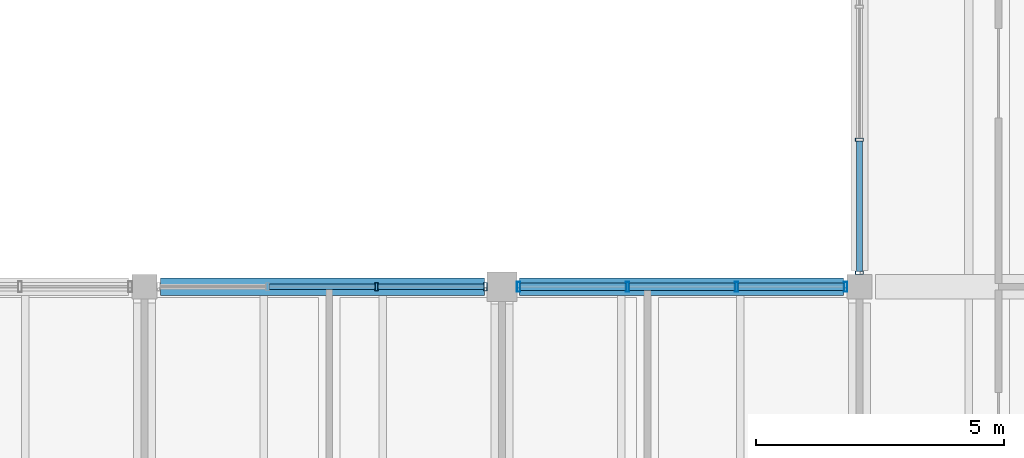
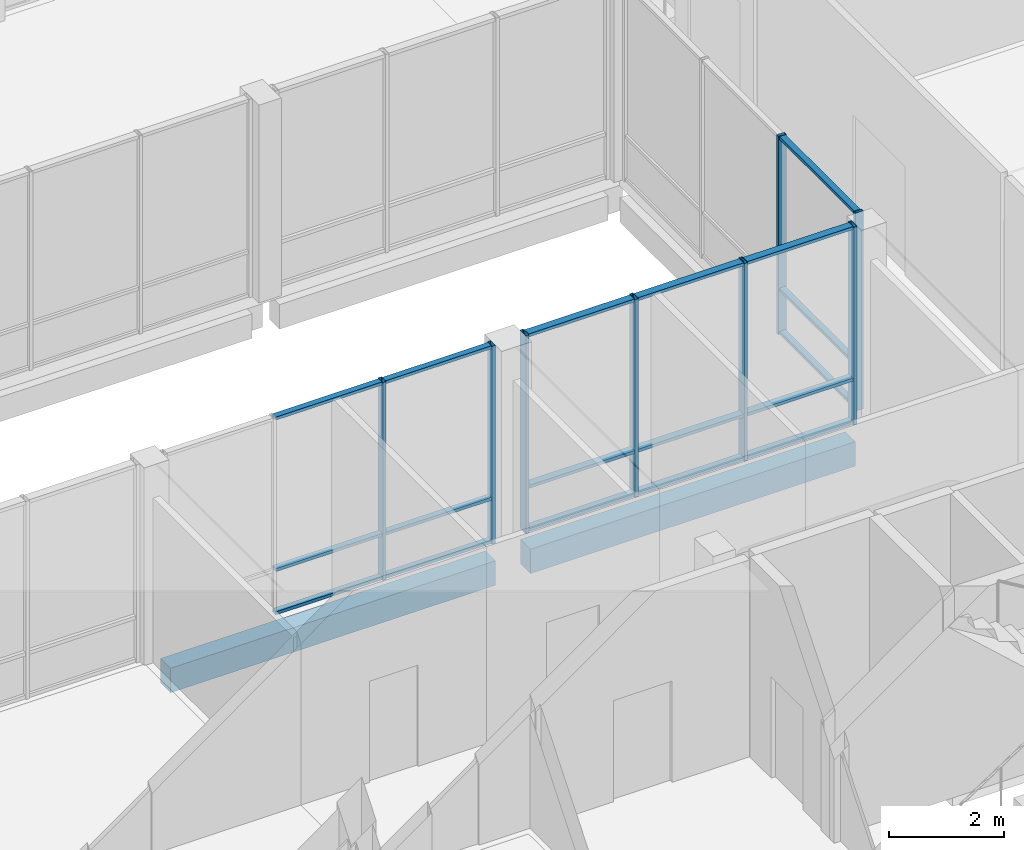
# One storey, part 26 of 104: 26 members, 2 beams, 3 elements without a shape of their own.
"""IFC4 building model written with IfcOpenShell, lengths in metres."""

from ifc_helpers import new_model, si_unit, direction, frame, origin, origin_2d, place, context, subcontext, project, spatial, rectangle, hollow_rectangle, extrude, material, material_profile, profile_set, type_object, element, aggregate, save


model = new_model("IFC4")

# Units and contexts
model_context = context("Model", 3, precision=1e-05, world=origin(), true_north=direction((0.0, 1.0)))
body_context = subcontext(model_context, "Body", "Model", "MODEL_VIEW")
ifc_project = project(units=[si_unit("LENGTHUNIT", "METRE"), si_unit("AREAUNIT", "SQUARE_METRE"), si_unit("VOLUMEUNIT", "CUBIC_METRE"), si_unit("PLANEANGLEUNIT", "RADIAN"), si_unit("MASSUNIT", "GRAM", prefix="KILO")], contexts=[model_context])

# Site, building, storey
site_placement = place(None, origin())
site = spatial("IfcSite", under=ifc_project, at=site_placement, CompositionType="ELEMENT")
building_placement = place(site_placement, origin())
building = spatial("IfcBuilding", under=site, at=building_placement, Name="Hawrajan Terrace Health Centre", CompositionType="ELEMENT")
storey_placement = place(building_placement, origin())
storey = spatial("IfcBuildingStorey", under=building, at=storey_placement, Name="L00", CompositionType="ELEMENT", Elevation=0.0)

# Curtain wall, members
ifc_material_1 = material(Name="Anodized bronze aluminium and low-E solar glazing", Category="aluminium")
curtain_wall_type_1 = type_object("IfcCurtainWallType", Name="CW_Terrace_SeriesK1", PredefinedType="USERDEFINED", material=ifc_material_1)
curtain_wall_1_placement = place(storey_placement, origin())
curtain_wall_1 = element("IfcCurtainWall", 1, at=curtain_wall_1_placement, inside=storey, type_object=curtain_wall_type_1, Name="Curtain wall CW-L00-021", ObjectType="UNITISED CURTAIN WALL", PredefinedType="USERDEFINED")
ifc_material_2 = material(Name="Anodized bronze aluminium 6063-T6", Category="aluminium")
ifc_material_profile_1 = material_profile(ifc_material_2, hollow_rectangle(XDim=0.06494140625, YDim=0.159912109375, WallThickness=0.00390625, at=origin_2d()), Name="CW MUL 65x160")
ifc_profile_set_1 = profile_set([ifc_material_profile_1], Name="Anodized bronze aluminium 6063-T6")
member_type_1 = type_object("IfcMemberType", Name="CWMullion_65x160", PredefinedType="MULLION", material=ifc_profile_set_1)
member_1_placement = place(storey_placement, frame((52.472412109375, 18.60009765625, -0.0048828125), z_axis=(0.0, 0.0, 1.0), x_axis=(1.0, 0.0, 0.0)))
member_1 = element("IfcMember", 2, at=member_1_placement, type_object=member_type_1, Name="Mullion CW-L00-021-M3", PredefinedType="MULLION", context=body_context, shape_type="SweptSolid", body=[
    extrude(hollow_rectangle(XDim=0.06494140625, YDim=0.159912109375, WallThickness=0.00390625, at=origin_2d()), origin(), (0.0, 0.0, 1.0), 4.2099609375),
])
member_2_placement = place(storey_placement, frame((54.66748046875, 18.60009765625, -0.0048828125), z_axis=(0.0, 0.0, 1.0), x_axis=(1.0, 0.0, 0.0)))
member_2 = element("IfcMember", 3, at=member_2_placement, type_object=member_type_1, Name="Mullion CW-L00-021-M4", PredefinedType="MULLION", context=body_context, shape_type="SweptSolid", body=[
    extrude(hollow_rectangle(XDim=0.06494140625, YDim=0.159912109375, WallThickness=0.00390625, at=origin_2d()), origin(), (0.0, 0.0, 1.0), 4.2099609375),
])

curtain_wall_type_2 = type_object("IfcCurtainWallType", Name="CW_Court_SeriesB3", PredefinedType="USERDEFINED", material=ifc_material_1)
curtain_wall_2_placement = place(storey_placement, origin())
curtain_wall_2 = element("IfcCurtainWall", 4, at=curtain_wall_2_placement, inside=storey, type_object=curtain_wall_type_2, Name="Curtain wall CW-L00-030", ObjectType="UNITISED CURTAIN WALL", PredefinedType="USERDEFINED")
member_3_placement = place(storey_placement, frame((62.199951171875, 18.882568359375, -0.0048828125), z_axis=(0.0, 0.0, 1.0), x_axis=(0.0, 1.0, 0.0)))
member_3 = element("IfcMember", 5, at=member_3_placement, type_object=member_type_1, Name="Mullion CW-L00-030-M1", PredefinedType="MULLION", context=body_context, shape_type="SweptSolid", body=[
    extrude(hollow_rectangle(XDim=0.06494140625, YDim=0.159912109375, WallThickness=0.00390625, at=origin_2d()), origin(), (0.0, 0.0, 1.0), 4.2099609375),
])
member_4_placement = place(storey_placement, frame((62.199951171875, 21.560791015625, -0.0048828125), z_axis=(0.0, 0.0, 1.0), x_axis=(0.0, 1.0, 0.0)))
member_4 = element("IfcMember", 6, at=member_4_placement, type_object=member_type_1, Name="Mullion CW-L00-030-M2", PredefinedType="MULLION", context=body_context, shape_type="SweptSolid", body=[
    extrude(hollow_rectangle(XDim=0.06494140625, YDim=0.159912109375, WallThickness=0.00390625, at=origin_2d()), origin(), (0.0, 0.0, 1.0), 4.2099609375),
])

curtain_wall_type_3 = type_object("IfcCurtainWallType", Name="CW_Court_SeriesA1", PredefinedType="USERDEFINED", material=ifc_material_1)
curtain_wall_3_placement = place(storey_placement, origin())
curtain_wall_3 = element("IfcCurtainWall", 7, at=curtain_wall_3_placement, inside=storey, type_object=curtain_wall_type_3, Name="Curtain wall CW-L00-025", ObjectType="UNITISED CURTAIN WALL", PredefinedType="USERDEFINED")
ifc_material_profile_2 = material_profile(ifc_material_2, hollow_rectangle(XDim=0.06494140625, YDim=0.199951171875, WallThickness=0.00439453125, at=origin_2d()), Name="CW MUL 65x200")
ifc_profile_set_2 = profile_set([ifc_material_profile_2], Name="Anodized bronze aluminium 6063-T6")
member_type_2 = type_object("IfcMemberType", Name="CWMullion_65x200", PredefinedType="MULLION", material=ifc_profile_set_2)
member_5_placement = place(storey_placement, frame((55.33251953125, 18.60009765625, -0.0048828125), z_axis=(0.0, 0.0, 1.0), x_axis=(1.0, 0.0, 0.0)))
member_5 = element("IfcMember", 8, at=member_5_placement, type_object=member_type_2, Name="Mullion CW-L00-025-M1", PredefinedType="MULLION", context=body_context, shape_type="SweptSolid", body=[
    extrude(hollow_rectangle(XDim=0.06494140625, YDim=0.199951171875, WallThickness=0.00439453125, at=origin_2d()), origin(), (0.0, 0.0, 1.0), 4.2099609375),
])
member_6_placement = place(storey_placement, frame((57.527587890625, 18.60009765625, -0.0048828125), z_axis=(0.0, 0.0, 1.0), x_axis=(1.0, 0.0, 0.0)))
member_6 = element("IfcMember", 9, at=member_6_placement, type_object=member_type_2, Name="Mullion CW-L00-025-M2", PredefinedType="MULLION", context=body_context, shape_type="SweptSolid", body=[
    extrude(hollow_rectangle(XDim=0.06494140625, YDim=0.199951171875, WallThickness=0.00439453125, at=origin_2d()), origin(), (0.0, 0.0, 1.0), 4.2099609375),
])
member_7_placement = place(storey_placement, frame((59.722412109375, 18.60009765625, -0.0048828125), z_axis=(0.0, 0.0, 1.0), x_axis=(1.0, 0.0, 0.0)))
member_7 = element("IfcMember", 10, at=member_7_placement, type_object=member_type_2, Name="Mullion CW-L00-025-M3", PredefinedType="MULLION", context=body_context, shape_type="SweptSolid", body=[
    extrude(hollow_rectangle(XDim=0.06494140625, YDim=0.199951171875, WallThickness=0.00439453125, at=origin_2d()), origin(), (0.0, 0.0, 1.0), 4.2099609375),
])
member_8_placement = place(storey_placement, frame((61.91748046875, 18.60009765625, -0.0048828125), z_axis=(0.0, 0.0, 1.0), x_axis=(1.0, 0.0, 0.0)))
member_8 = element("IfcMember", 11, at=member_8_placement, type_object=member_type_2, Name="Mullion CW-L00-025-M4", PredefinedType="MULLION", context=body_context, shape_type="SweptSolid", body=[
    extrude(hollow_rectangle(XDim=0.06494140625, YDim=0.199951171875, WallThickness=0.00439453125, at=origin_2d()), origin(), (0.0, 0.0, 1.0), 4.2099609375),
])

# Member
ifc_material_profile_3 = material_profile(ifc_material_2, hollow_rectangle(XDim=0.06494140625, YDim=0.1201171875, WallThickness=0.00341796875, at=origin_2d()), Name="CW TRN 65x120")
ifc_profile_set_3 = profile_set([ifc_material_profile_3], Name="Anodized bronze aluminium 6063-T6")
member_type_3 = type_object("IfcMemberType", Name="CWTransom_65x120", PredefinedType="USERDEFINED", material=ifc_profile_set_3)
member_9_placement = place(storey_placement, frame((50.303955078125, 18.60009765625, 0.032470703125), z_axis=(1.0, 0.0, 0.0), x_axis=(0.0, 0.0, 1.0)))
member_9 = element("IfcMember", 12, at=member_9_placement, type_object=member_type_3, Name="Transom CW-L00-021-T2-1", ObjectType="TRANSOM", PredefinedType="USERDEFINED", context=body_context, shape_type="SweptSolid", body=[
    extrude(hollow_rectangle(XDim=0.06494140625, YDim=0.1201171875, WallThickness=0.00341796875, at=origin_2d()), origin(), (0.0, 0.0, 1.0), 2.14208984375),
])

member_10_placement = place(storey_placement, frame((50.303955078125, 18.60009765625, 0.949951171875), z_axis=(1.0, 0.0, 0.0), x_axis=(0.0, 0.0, 1.0)))
member_10 = element("IfcMember", 13, at=member_10_placement, type_object=member_type_3, Name="Transom CW-L00-021-T2-2", ObjectType="TRANSOM", PredefinedType="USERDEFINED", context=body_context, shape_type="SweptSolid", body=[
    extrude(hollow_rectangle(XDim=0.06494140625, YDim=0.1201171875, WallThickness=0.00341796875, at=origin_2d()), origin(), (0.0, 0.0, 1.0), 2.14208984375),
])

member_11_placement = place(storey_placement, frame((50.303955078125, 18.60009765625, 4.16748046875), z_axis=(1.0, 0.0, 0.0), x_axis=(0.0, 0.0, 1.0)))
member_11 = element("IfcMember", 14, at=member_11_placement, type_object=member_type_3, Name="Transom CW-L00-021-T2-3", ObjectType="TRANSOM", PredefinedType="USERDEFINED", context=body_context, shape_type="SweptSolid", body=[
    extrude(hollow_rectangle(XDim=0.06494140625, YDim=0.1201171875, WallThickness=0.00341796875, at=origin_2d()), origin(), (0.0, 0.0, 1.0), 2.14208984375),
])

member_12_placement = place(storey_placement, frame((52.4990234375, 18.60009765625, 0.032470703125), z_axis=(1.0, 0.0, 0.0), x_axis=(0.0, 0.0, 1.0)))
member_12 = element("IfcMember", 15, at=member_12_placement, type_object=member_type_3, Name="Transom CW-L00-021-T3-1", ObjectType="TRANSOM", PredefinedType="USERDEFINED", context=body_context, shape_type="SweptSolid", body=[
    extrude(hollow_rectangle(XDim=0.06494140625, YDim=0.1201171875, WallThickness=0.00341796875, at=origin_2d()), origin(), (0.0, 0.0, 1.0), 2.14208984375),
])

member_13_placement = place(storey_placement, frame((52.4990234375, 18.60009765625, 0.949951171875), z_axis=(1.0, 0.0, 0.0), x_axis=(0.0, 0.0, 1.0)))
member_13 = element("IfcMember", 16, at=member_13_placement, type_object=member_type_3, Name="Transom CW-L00-021-T3-2", ObjectType="TRANSOM", PredefinedType="USERDEFINED", context=body_context, shape_type="SweptSolid", body=[
    extrude(hollow_rectangle(XDim=0.06494140625, YDim=0.1201171875, WallThickness=0.00341796875, at=origin_2d()), origin(), (0.0, 0.0, 1.0), 2.14208984375),
])

member_14_placement = place(storey_placement, frame((52.4990234375, 18.60009765625, 4.16748046875), z_axis=(1.0, 0.0, 0.0), x_axis=(0.0, 0.0, 1.0)))
member_14 = element("IfcMember", 17, at=member_14_placement, type_object=member_type_3, Name="Transom CW-L00-021-T3-3", ObjectType="TRANSOM", PredefinedType="USERDEFINED", context=body_context, shape_type="SweptSolid", body=[
    extrude(hollow_rectangle(XDim=0.06494140625, YDim=0.1201171875, WallThickness=0.00341796875, at=origin_2d()), origin(), (0.0, 0.0, 1.0), 2.14208984375),
])

aggregate(curtain_wall_1, [member_1, member_2, member_9, member_10, member_11, member_12, member_13, member_14])

member_15_placement = place(storey_placement, frame((62.199951171875, 18.908935546875, 0.032470703125), z_axis=(0.0, 1.0, 0.0), x_axis=(0.0, 0.0, 1.0)))
member_15 = element("IfcMember", 18, at=member_15_placement, type_object=member_type_3, Name="Transom CW-L00-030-T1-1", ObjectType="TRANSOM", PredefinedType="USERDEFINED", context=body_context, shape_type="SweptSolid", body=[
    extrude(hollow_rectangle(XDim=0.06494140625, YDim=0.1201171875, WallThickness=0.00341796875, at=origin_2d()), origin(), (0.0, 0.0, 1.0), 2.625244140625),
])

member_16_placement = place(storey_placement, frame((62.199951171875, 18.908935546875, 0.949951171875), z_axis=(0.0, 1.0, 0.0), x_axis=(0.0, 0.0, 1.0)))
member_16 = element("IfcMember", 19, at=member_16_placement, type_object=member_type_3, Name="Transom CW-L00-030-T1-2", ObjectType="TRANSOM", PredefinedType="USERDEFINED", context=body_context, shape_type="SweptSolid", body=[
    extrude(hollow_rectangle(XDim=0.06494140625, YDim=0.1201171875, WallThickness=0.00341796875, at=origin_2d()), origin(), (0.0, 0.0, 1.0), 2.625244140625),
])

member_17_placement = place(storey_placement, frame((62.199951171875, 18.908935546875, 4.16748046875), z_axis=(0.0, 1.0, 0.0), x_axis=(0.0, 0.0, 1.0)))
member_17 = element("IfcMember", 20, at=member_17_placement, type_object=member_type_3, Name="Transom CW-L00-030-T1-3", ObjectType="TRANSOM", PredefinedType="USERDEFINED", context=body_context, shape_type="SweptSolid", body=[
    extrude(hollow_rectangle(XDim=0.06494140625, YDim=0.1201171875, WallThickness=0.00341796875, at=origin_2d()), origin(), (0.0, 0.0, 1.0), 2.625244140625),
])

aggregate(curtain_wall_2, [member_3, member_4, member_15, member_16, member_17])

ifc_material_profile_4 = material_profile(ifc_material_2, hollow_rectangle(XDim=0.06494140625, YDim=0.14990234375, WallThickness=0.00390625, at=origin_2d()), Name="CW TRN 65x150")
ifc_profile_set_4 = profile_set([ifc_material_profile_4], Name="Anodized bronze aluminium 6063-T6")
member_type_4 = type_object("IfcMemberType", Name="CWTransom_65x150", PredefinedType="USERDEFINED", material=ifc_profile_set_4)
member_18_placement = place(storey_placement, frame((55.35888671875, 18.60009765625, 0.032470703125), z_axis=(1.0, 0.0, 0.0), x_axis=(0.0, 0.0, 1.0)))
member_18 = element("IfcMember", 21, at=member_18_placement, type_object=member_type_4, Name="Transom CW-L00-025-T1-1", ObjectType="TRANSOM", PredefinedType="USERDEFINED", context=body_context, shape_type="SweptSolid", body=[
    extrude(hollow_rectangle(XDim=0.06494140625, YDim=0.14990234375, WallThickness=0.00390625, at=origin_2d()), origin(), (0.0, 0.0, 1.0), 2.14208984375),
])

member_19_placement = place(storey_placement, frame((55.35888671875, 18.60009765625, 0.949951171875), z_axis=(1.0, 0.0, 0.0), x_axis=(0.0, 0.0, 1.0)))
member_19 = element("IfcMember", 22, at=member_19_placement, type_object=member_type_4, Name="Transom CW-L00-025-T1-2", ObjectType="TRANSOM", PredefinedType="USERDEFINED", context=body_context, shape_type="SweptSolid", body=[
    extrude(hollow_rectangle(XDim=0.06494140625, YDim=0.14990234375, WallThickness=0.00390625, at=origin_2d()), origin(), (0.0, 0.0, 1.0), 2.14208984375),
])

member_20_placement = place(storey_placement, frame((55.35888671875, 18.60009765625, 4.16748046875), z_axis=(1.0, 0.0, 0.0), x_axis=(0.0, 0.0, 1.0)))
member_20 = element("IfcMember", 23, at=member_20_placement, type_object=member_type_4, Name="Transom CW-L00-025-T1-3", ObjectType="TRANSOM", PredefinedType="USERDEFINED", context=body_context, shape_type="SweptSolid", body=[
    extrude(hollow_rectangle(XDim=0.06494140625, YDim=0.14990234375, WallThickness=0.00390625, at=origin_2d()), origin(), (0.0, 0.0, 1.0), 2.14208984375),
])

member_21_placement = place(storey_placement, frame((57.553955078125, 18.60009765625, 0.032470703125), z_axis=(1.0, 0.0, 0.0), x_axis=(0.0, 0.0, 1.0)))
member_21 = element("IfcMember", 24, at=member_21_placement, type_object=member_type_4, Name="Transom CW-L00-025-T2-1", ObjectType="TRANSOM", PredefinedType="USERDEFINED", context=body_context, shape_type="SweptSolid", body=[
    extrude(hollow_rectangle(XDim=0.06494140625, YDim=0.14990234375, WallThickness=0.00390625, at=origin_2d()), origin(), (0.0, 0.0, 1.0), 2.14208984375),
])

member_22_placement = place(storey_placement, frame((57.553955078125, 18.60009765625, 0.949951171875), z_axis=(1.0, 0.0, 0.0), x_axis=(0.0, 0.0, 1.0)))
member_22 = element("IfcMember", 25, at=member_22_placement, type_object=member_type_4, Name="Transom CW-L00-025-T2-2", ObjectType="TRANSOM", PredefinedType="USERDEFINED", context=body_context, shape_type="SweptSolid", body=[
    extrude(hollow_rectangle(XDim=0.06494140625, YDim=0.14990234375, WallThickness=0.00390625, at=origin_2d()), origin(), (0.0, 0.0, 1.0), 2.14208984375),
])

member_23_placement = place(storey_placement, frame((57.553955078125, 18.60009765625, 4.16748046875), z_axis=(1.0, 0.0, 0.0), x_axis=(0.0, 0.0, 1.0)))
member_23 = element("IfcMember", 26, at=member_23_placement, type_object=member_type_4, Name="Transom CW-L00-025-T2-3", ObjectType="TRANSOM", PredefinedType="USERDEFINED", context=body_context, shape_type="SweptSolid", body=[
    extrude(hollow_rectangle(XDim=0.06494140625, YDim=0.14990234375, WallThickness=0.00390625, at=origin_2d()), origin(), (0.0, 0.0, 1.0), 2.14208984375),
])

member_24_placement = place(storey_placement, frame((59.7490234375, 18.60009765625, 0.032470703125), z_axis=(1.0, 0.0, 0.0), x_axis=(0.0, 0.0, 1.0)))
member_24 = element("IfcMember", 27, at=member_24_placement, type_object=member_type_4, Name="Transom CW-L00-025-T3-1", ObjectType="TRANSOM", PredefinedType="USERDEFINED", context=body_context, shape_type="SweptSolid", body=[
    extrude(hollow_rectangle(XDim=0.06494140625, YDim=0.14990234375, WallThickness=0.00390625, at=origin_2d()), origin(), (0.0, 0.0, 1.0), 2.14208984375),
])

member_25_placement = place(storey_placement, frame((59.7490234375, 18.60009765625, 0.949951171875), z_axis=(1.0, 0.0, 0.0), x_axis=(0.0, 0.0, 1.0)))
member_25 = element("IfcMember", 28, at=member_25_placement, type_object=member_type_4, Name="Transom CW-L00-025-T3-2", ObjectType="TRANSOM", PredefinedType="USERDEFINED", context=body_context, shape_type="SweptSolid", body=[
    extrude(hollow_rectangle(XDim=0.06494140625, YDim=0.14990234375, WallThickness=0.00390625, at=origin_2d()), origin(), (0.0, 0.0, 1.0), 2.14208984375),
])

member_26_placement = place(storey_placement, frame((59.7490234375, 18.60009765625, 4.16748046875), z_axis=(1.0, 0.0, 0.0), x_axis=(0.0, 0.0, 1.0)))
member_26 = element("IfcMember", 29, at=member_26_placement, type_object=member_type_4, Name="Transom CW-L00-025-T3-3", ObjectType="TRANSOM", PredefinedType="USERDEFINED", context=body_context, shape_type="SweptSolid", body=[
    extrude(hollow_rectangle(XDim=0.06494140625, YDim=0.14990234375, WallThickness=0.00390625, at=origin_2d()), origin(), (0.0, 0.0, 1.0), 2.14208984375),
])

aggregate(curtain_wall_3, [member_5, member_6, member_7, member_8, member_18, member_19, member_20, member_21, member_22, member_23, member_24, member_25, member_26])

# Beams
ifc_material_3 = material(Name="Concrete C40/50", Category="concrete")
ifc_material_profile_5 = material_profile(ifc_material_3, rectangle(XDim=0.35009765625, YDim=0.52001953125, at=origin_2d()), Name="RC SP 350x520")
ifc_profile_set_5 = profile_set([ifc_material_profile_5], Name="Concrete C40/50")
beam_type = type_object("IfcBeamType", Name="RCSpandrel_350x520", PredefinedType="SPANDREL", material=ifc_profile_set_5)
for number, where, z_axis, x_axis, name in (
    (30, (48.125, 18.60009765625, -0.56005859375), (1.0, 0.0, 0.0), (0.0, 1.0, 0.0), "Beam BM-X-L00-W-07-Y3"),
    (31, (55.35009765625, 18.60009765625, -0.56005859375), (1.0, 0.0, 0.0), (0.0, 1.0, 0.0), "Beam BM-X-L00-W-08-Y3"),
):
    element("IfcBeam", number, at=place(storey_placement, frame(where, z_axis=z_axis, x_axis=x_axis)), inside=storey, type_object=beam_type, Name=name, PredefinedType="SPANDREL", context=body_context, shape_type="SweptSolid", body=[
        extrude(rectangle(XDim=0.35009765625, YDim=0.52001953125, at=origin_2d()), origin(), (0.0, 0.0, 1.0), 6.52490234375),
    ])

save(model, "model.ifc")
